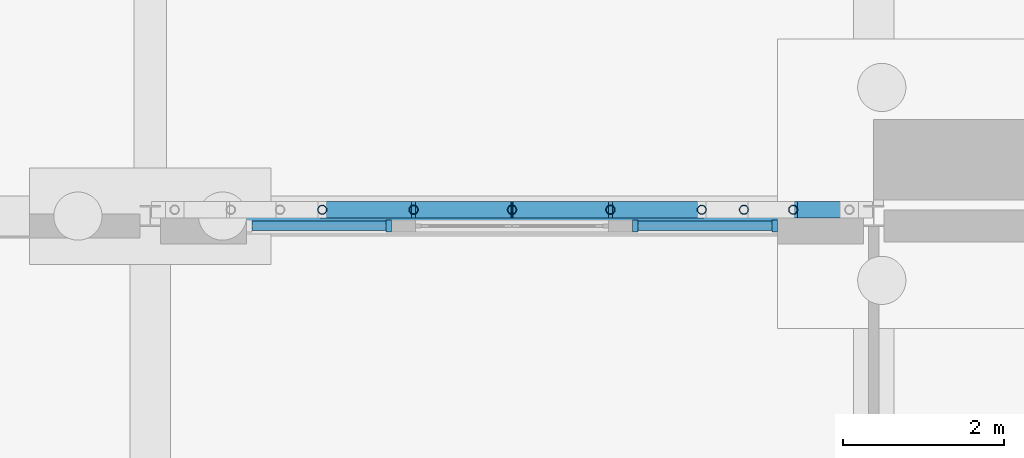
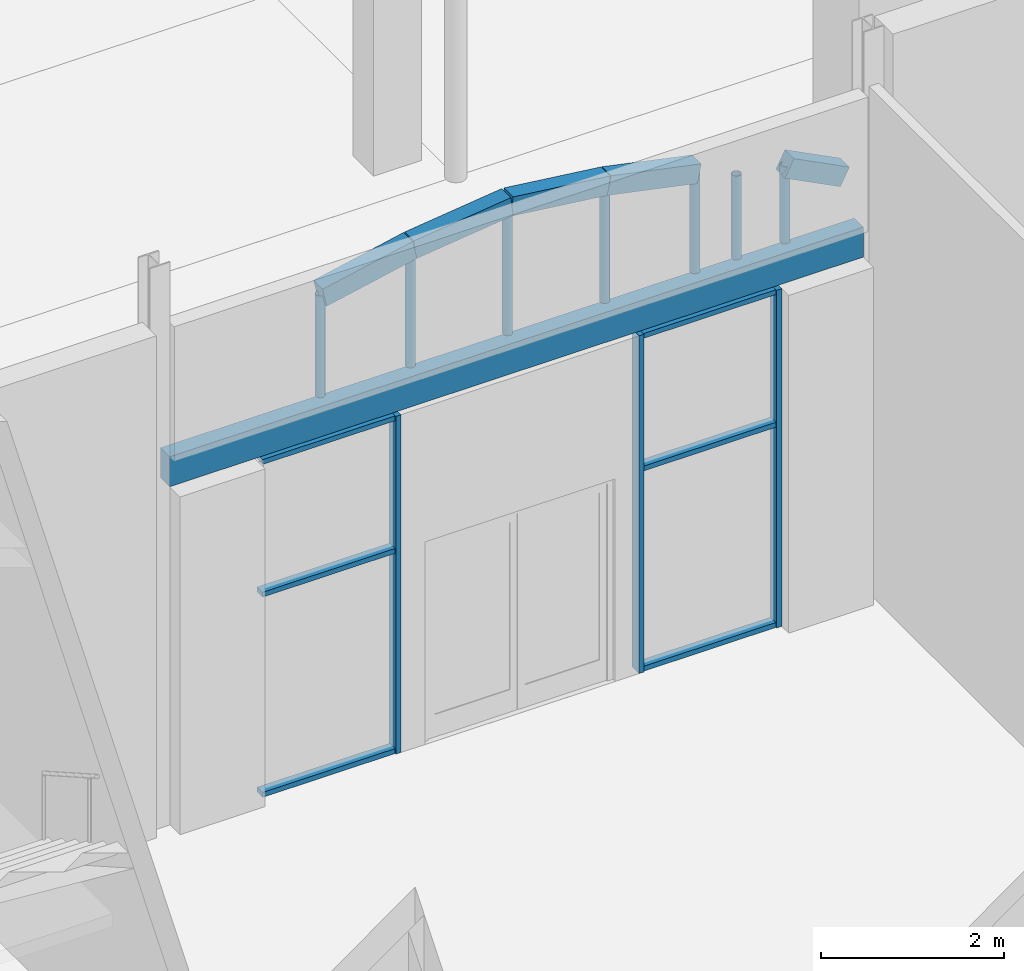
# One storey, part 53 of 250: 16 members, 6 beams, 2 elements without a shape of their own.
"""IFC4 building model written with IfcOpenShell, lengths in metres."""

from ifc_helpers import new_model, si_unit, direction, frame, origin, origin_2d, place, context, subcontext, project, spatial, rectangle, hollow_circle, extrude, material, material_profile, profile_set, type_object, element, aggregate, save


model = new_model("IFC4")

# Units and contexts
model_context = context("Model", 3, precision=1e-05, world=origin(), true_north=direction((0.0, 1.0)))
body_context = subcontext(model_context, "Body", "Model", "MODEL_VIEW")
ifc_project = project(units=[si_unit("LENGTHUNIT", "METRE"), si_unit("AREAUNIT", "SQUARE_METRE"), si_unit("VOLUMEUNIT", "CUBIC_METRE"), si_unit("PLANEANGLEUNIT", "RADIAN"), si_unit("MASSUNIT", "GRAM", prefix="KILO")], contexts=[model_context])

# Site, building, storey
site_placement = place(None, origin())
site = spatial("IfcSite", under=ifc_project, at=site_placement, CompositionType="ELEMENT")
building_placement = place(site_placement, origin())
building = spatial("IfcBuilding", under=site, at=building_placement, Name="Baradari Gate Terminus", CompositionType="ELEMENT")
storey_placement = place(building_placement, origin())
storey = spatial("IfcBuildingStorey", under=building, at=storey_placement, Name="L00", CompositionType="ELEMENT", Elevation=0.0)

# Members
ifc_material_1 = material(Name="Steel S355", Category="steel")
ifc_material_profile_1 = material_profile(ifc_material_1, hollow_circle(Radius=0.05712890625, WallThickness=0.00634765625, at=origin_2d()), Name="CHS 114.3x6.3")
ifc_profile_set_1 = profile_set([ifc_material_profile_1], Name="Steel S355")
member_type_1 = type_object("IfcMemberType", Name="Arcade arch post SP-2 114x6.3", PredefinedType="POST", material=ifc_profile_set_1)
member_1_placement = place(storey_placement, frame((128.13916015625, 108.07861328125, 4.89990234375), z_axis=(0.0, 0.0, 1.0), x_axis=(1.0, 0.0, 0.0)))
element("IfcMember", 1, at=member_1_placement, inside=storey, type_object=member_type_1, Name="Arcade arch post 14.5", PredefinedType="POST", context=body_context, shape_type="SweptSolid", body=[
    extrude(hollow_circle(Radius=0.05712890625, WallThickness=0.00634765625, at=origin_2d()), origin(), (0.0, 0.0, 1.0), 1.354248046875),
])
member_2_placement = place(storey_placement, frame((129.27587890625, 108.07861328125, 4.89990234375), z_axis=(0.0, 0.0, 1.0), x_axis=(1.0, 0.0, 0.0)))
element("IfcMember", 2, at=member_2_placement, inside=storey, type_object=member_type_1, Name="Arcade arch post 14.6", PredefinedType="POST", context=body_context, shape_type="SweptSolid", body=[
    extrude(hollow_circle(Radius=0.05712890625, WallThickness=0.00634765625, at=origin_2d()), origin(), (0.0, 0.0, 1.0), 1.593017578125),
])
member_3_placement = place(storey_placement, frame((130.5, 108.07861328125, 4.89990234375), z_axis=(0.0, 0.0, 1.0), x_axis=(1.0, 0.0, 0.0)))
element("IfcMember", 3, at=member_3_placement, inside=storey, type_object=member_type_1, Name="Arcade arch post 14.7", PredefinedType="POST", context=body_context, shape_type="SweptSolid", body=[
    extrude(hollow_circle(Radius=0.05712890625, WallThickness=0.00634765625, at=origin_2d()), origin(), (0.0, 0.0, 1.0), 1.7421875),
])
member_4_placement = place(storey_placement, frame((131.72412109375, 108.07861328125, 4.89990234375), z_axis=(0.0, 0.0, 1.0), x_axis=(1.0, 0.0, 0.0)))
element("IfcMember", 4, at=member_4_placement, inside=storey, type_object=member_type_1, Name="Arcade arch post 14.8", PredefinedType="POST", context=body_context, shape_type="SweptSolid", body=[
    extrude(hollow_circle(Radius=0.05712890625, WallThickness=0.00634765625, at=origin_2d()), origin(), (0.0, 0.0, 1.0), 1.593017578125),
])
member_5_placement = place(storey_placement, frame((132.86083984375, 108.07861328125, 4.89990234375), z_axis=(0.0, 0.0, 1.0), x_axis=(1.0, 0.0, 0.0)))
element("IfcMember", 5, at=member_5_placement, inside=storey, type_object=member_type_1, Name="Arcade arch post 14.9", PredefinedType="POST", context=body_context, shape_type="SweptSolid", body=[
    extrude(hollow_circle(Radius=0.05712890625, WallThickness=0.00634765625, at=origin_2d()), origin(), (0.0, 0.0, 1.0), 1.354248046875),
])
member_6_placement = place(storey_placement, frame((133.385498046875, 108.07861328125, 4.89990234375), z_axis=(0.0, 0.0, 1.0), x_axis=(1.0, 0.0, 0.0)))
element("IfcMember", 6, at=member_6_placement, inside=storey, type_object=member_type_1, Name="Arcade arch post 14.10", PredefinedType="POST", context=body_context, shape_type="SweptSolid", body=[
    extrude(hollow_circle(Radius=0.05712890625, WallThickness=0.00634765625, at=origin_2d()), origin(), (0.0, 0.0, 1.0), 1.115478515625),
])
member_7_placement = place(storey_placement, frame((133.99755859375, 108.07861328125, 4.89990234375), z_axis=(0.0, 0.0, 1.0), x_axis=(1.0, 0.0, 0.0)))
element("IfcMember", 7, at=member_7_placement, inside=storey, type_object=member_type_1, Name="Arcade arch post 14.11", PredefinedType="POST", context=body_context, shape_type="SweptSolid", body=[
    extrude(hollow_circle(Radius=0.05712890625, WallThickness=0.00634765625, at=origin_2d()), origin(), (0.0, 0.0, 1.0), 1.02587890625),
])

# Beams
ifc_material_2 = material(Name="Concrete C40/50 precast", Category="concrete")
ifc_material_profile_2 = material_profile(ifc_material_2, rectangle(XDim=0.199951171875, YDim=0.25, at=origin_2d()), Name="AB-1 200X250")
ifc_profile_set_2 = profile_set([ifc_material_profile_2], Name="Concrete C40/50 precast")
beam_type_1 = type_object("IfcBeamType", Name="Arcade arch segment AB-1 200x250", PredefinedType="BEAM", material=ifc_profile_set_2)
beam_1_placement = place(storey_placement, frame((128.13916015625, 108.07861328125, 6.254150390625), z_axis=(0.978643349291, 0.0, 0.205565548885), x_axis=(0.0, 1.0, 0.0)))
element("IfcBeam", 8, at=beam_1_placement, inside=storey, type_object=beam_type_1, Name="Arcade arch AB-1 bay 14 segment 5", PredefinedType="BEAM", context=body_context, shape_type="SweptSolid", body=[
    extrude(rectangle(XDim=0.199951171875, YDim=0.25, at=origin_2d()), origin(), (0.0, 0.0, 1.0), 1.16162109375),
])
for number, where, z_axis, x_axis, name in (
    (9, (129.27587890625, 108.07861328125, 6.492919921875), (0.992656897947, 0.0, 0.120963973802), (0.0, 1.0, 0.0), "Arcade arch AB-1 bay 14 segment 6"),
    (10, (130.5, 108.07861328125, 6.64208984375), (0.992656897947, 0.0, -0.120963973802), (0.0, 1.0, 0.0), "Arcade arch AB-1 bay 14 segment 7"),
):
    element("IfcBeam", number, at=place(storey_placement, frame(where, z_axis=z_axis, x_axis=x_axis)), inside=storey, type_object=beam_type_1, Name=name, PredefinedType="BEAM", context=body_context, shape_type="SweptSolid", body=[
        extrude(rectangle(XDim=0.199951171875, YDim=0.25, at=origin_2d()), origin(), (0.0, 0.0, 1.0), 1.233154296875),
    ])
beam_2_placement = place(storey_placement, frame((131.72412109375, 108.07861328125, 6.492919921875), z_axis=(0.978643349291, 0.0, -0.205565548885), x_axis=(0.0, 1.0, 0.0)))
element("IfcBeam", 11, at=beam_2_placement, inside=storey, type_object=beam_type_1, Name="Arcade arch AB-1 bay 14 segment 8", PredefinedType="BEAM", context=body_context, shape_type="SweptSolid", body=[
    extrude(rectangle(XDim=0.199951171875, YDim=0.25, at=origin_2d()), origin(), (0.0, 0.0, 1.0), 1.16162109375),
])
beam_3_placement = place(storey_placement, frame((133.99755859375, 108.07861328125, 5.92578125), z_axis=(0.89022472097, 0.0, -0.455521619875), x_axis=(0.0, 1.0, 0.0)))
element("IfcBeam", 12, at=beam_3_placement, inside=storey, type_object=beam_type_1, Name="Arcade arch AB-1 bay 14 segment 11", PredefinedType="BEAM", context=body_context, shape_type="SweptSolid", body=[
    extrude(rectangle(XDim=0.199951171875, YDim=0.25, at=origin_2d()), origin(), (0.0, 0.0, 1.0), 0.78564453125),
])
ifc_material_3 = material(Name="Concrete C50/60 precast", Category="concrete")
ifc_material_profile_3 = material_profile(ifc_material_3, rectangle(XDim=0.199951171875, YDim=0.39990234375, at=origin_2d()), Name="LB-1 200X400")
ifc_profile_set_3 = profile_set([ifc_material_profile_3], Name="Concrete C50/60 precast")
beam_type_2 = type_object("IfcBeamType", Name="Arcade lintel LB-1 200x400", PredefinedType="LINTEL", material=ifc_profile_set_3)
beam_4_placement = place(storey_placement, frame((126.128173828125, 107.978515625, 4.699951171875), z_axis=(1.0, 0.0, 0.0), x_axis=(0.0, 1.0, 0.0)))
element("IfcBeam", 13, at=beam_4_placement, inside=storey, type_object=beam_type_2, Name="Arcade lintel LB-1 bay 14", PredefinedType="LINTEL", context=body_context, shape_type="SweptSolid", body=[
    extrude(rectangle(XDim=0.199951171875, YDim=0.39990234375, at=origin_2d()), origin(), (0.0, 0.0, 1.0), 8.74365234375),
])

# Curtain wall, member
ifc_material_4 = material(Name="Aluminium 6063-T6", Category="aluminium")
curtain_wall_type = type_object("IfcCurtainWallType", Name="Curtain wall CW-2 shopfront", PredefinedType="NOTDEFINED", material=ifc_material_4)
curtain_wall_1_placement = place(storey_placement, origin())
curtain_wall_1 = element("IfcCurtainWall", 14, at=curtain_wall_1_placement, inside=storey, type_object=curtain_wall_type, Name="Shopfront curtain wall CW-2 HN bay 14 L00", PredefinedType="NOTDEFINED")
ifc_material_5 = material(Name="Aluminium 6063-T6", Category="aluminium")
ifc_material_profile_4 = material_profile(ifc_material_5, rectangle(XDim=0.14990234375, YDim=0.06494140625, at=origin_2d()), Name="CM-2 65X150")
ifc_profile_set_4 = profile_set([ifc_material_profile_4], Name="Aluminium 6063-T6")
member_type_2 = type_object("IfcMemberType", Name="Curtain wall mullion CM-2 65x150", PredefinedType="MULLION", material=ifc_profile_set_4)
member_8_placement = place(storey_placement, frame((128.967529296875, 107.87841796875, 0.0), z_axis=(0.0, 0.0, 1.0), x_axis=(0.0, 1.0, 0.0)))
member_8 = element("IfcMember", 15, at=member_8_placement, type_object=member_type_2, Name="CW-2 mullion 2", PredefinedType="MULLION", context=body_context, shape_type="SweptSolid", body=[
    extrude(rectangle(XDim=0.14990234375, YDim=0.06494140625, at=origin_2d()), origin(), (0.0, 0.0, 1.0), 4.5),
])

# Curtain wall, members
curtain_wall_2_placement = place(storey_placement, origin())
curtain_wall_2 = element("IfcCurtainWall", 16, at=curtain_wall_2_placement, inside=storey, type_object=curtain_wall_type, Name="Shopfront curtain wall CW-2 HN bay 14 L00", PredefinedType="NOTDEFINED")
member_9_placement = place(storey_placement, frame((132.032470703125, 107.87841796875, 0.0), z_axis=(0.0, 0.0, 1.0), x_axis=(0.0, 1.0, 0.0)))
member_9 = element("IfcMember", 17, at=member_9_placement, type_object=member_type_2, Name="CW-2 mullion 1", PredefinedType="MULLION", context=body_context, shape_type="SweptSolid", body=[
    extrude(rectangle(XDim=0.14990234375, YDim=0.06494140625, at=origin_2d()), origin(), (0.0, 0.0, 1.0), 4.5),
])
member_10_placement = place(storey_placement, frame((133.767578125, 107.87841796875, 0.0), z_axis=(0.0, 0.0, 1.0), x_axis=(0.0, 1.0, 0.0)))
member_10 = element("IfcMember", 18, at=member_10_placement, type_object=member_type_2, Name="CW-2 mullion 2", PredefinedType="MULLION", context=body_context, shape_type="SweptSolid", body=[
    extrude(rectangle(XDim=0.14990234375, YDim=0.06494140625, at=origin_2d()), origin(), (0.0, 0.0, 1.0), 4.5),
])

# Member
ifc_material_6 = material(Name="Aluminium 6063-T6", Category="aluminium")
ifc_material_profile_5 = material_profile(ifc_material_6, rectangle(XDim=0.1201171875, YDim=0.06494140625, at=origin_2d()), Name="CT-2 65X120")
ifc_profile_set_5 = profile_set([ifc_material_profile_5], Name="Aluminium 6063-T6")
member_type_3 = type_object("IfcMemberType", Name="Curtain wall transom CT-2 65x120", PredefinedType="USERDEFINED", material=ifc_profile_set_5)
member_11_placement = place(storey_placement, frame((127.264892578125, 107.87841796875, 0.032470703125), z_axis=(1.0, 0.0, 0.0), x_axis=(0.0, 1.0, 0.0)))
member_11 = element("IfcMember", 19, at=member_11_placement, type_object=member_type_3, Name="CW-2 transom 1.1", ObjectType="TRANSOM", PredefinedType="USERDEFINED", context=body_context, shape_type="SweptSolid", body=[
    extrude(rectangle(XDim=0.1201171875, YDim=0.06494140625, at=origin_2d()), origin(), (0.0, 0.0, 1.0), 1.670166015625),
])

member_12_placement = place(storey_placement, frame((127.264892578125, 107.87841796875, 2.699951171875), z_axis=(1.0, 0.0, 0.0), x_axis=(0.0, 1.0, 0.0)))
member_12 = element("IfcMember", 20, at=member_12_placement, type_object=member_type_3, Name="CW-2 transom 1.2", ObjectType="TRANSOM", PredefinedType="USERDEFINED", context=body_context, shape_type="SweptSolid", body=[
    extrude(rectangle(XDim=0.1201171875, YDim=0.06494140625, at=origin_2d()), origin(), (0.0, 0.0, 1.0), 1.670166015625),
])

member_13_placement = place(storey_placement, frame((127.264892578125, 107.87841796875, 4.467529296875), z_axis=(1.0, 0.0, 0.0), x_axis=(0.0, 1.0, 0.0)))
member_13 = element("IfcMember", 21, at=member_13_placement, type_object=member_type_3, Name="CW-2 transom 1.3", ObjectType="TRANSOM", PredefinedType="USERDEFINED", context=body_context, shape_type="SweptSolid", body=[
    extrude(rectangle(XDim=0.1201171875, YDim=0.06494140625, at=origin_2d()), origin(), (0.0, 0.0, 1.0), 1.670166015625),
])

aggregate(curtain_wall_1, [member_8, member_11, member_12, member_13])

member_14_placement = place(storey_placement, frame((132.06494140625, 107.87841796875, 0.032470703125), z_axis=(1.0, 0.0, 0.0), x_axis=(0.0, 1.0, 0.0)))
member_14 = element("IfcMember", 22, at=member_14_placement, type_object=member_type_3, Name="CW-2 transom 1.1", ObjectType="TRANSOM", PredefinedType="USERDEFINED", context=body_context, shape_type="SweptSolid", body=[
    extrude(rectangle(XDim=0.1201171875, YDim=0.06494140625, at=origin_2d()), origin(), (0.0, 0.0, 1.0), 1.670166015625),
])

member_15_placement = place(storey_placement, frame((132.06494140625, 107.87841796875, 2.699951171875), z_axis=(1.0, 0.0, 0.0), x_axis=(0.0, 1.0, 0.0)))
member_15 = element("IfcMember", 23, at=member_15_placement, type_object=member_type_3, Name="CW-2 transom 1.2", ObjectType="TRANSOM", PredefinedType="USERDEFINED", context=body_context, shape_type="SweptSolid", body=[
    extrude(rectangle(XDim=0.1201171875, YDim=0.06494140625, at=origin_2d()), origin(), (0.0, 0.0, 1.0), 1.670166015625),
])

member_16_placement = place(storey_placement, frame((132.06494140625, 107.87841796875, 4.467529296875), z_axis=(1.0, 0.0, 0.0), x_axis=(0.0, 1.0, 0.0)))
member_16 = element("IfcMember", 24, at=member_16_placement, type_object=member_type_3, Name="CW-2 transom 1.3", ObjectType="TRANSOM", PredefinedType="USERDEFINED", context=body_context, shape_type="SweptSolid", body=[
    extrude(rectangle(XDim=0.1201171875, YDim=0.06494140625, at=origin_2d()), origin(), (0.0, 0.0, 1.0), 1.670166015625),
])

aggregate(curtain_wall_2, [member_9, member_10, member_14, member_15, member_16])

save(model, "model.ifc")
